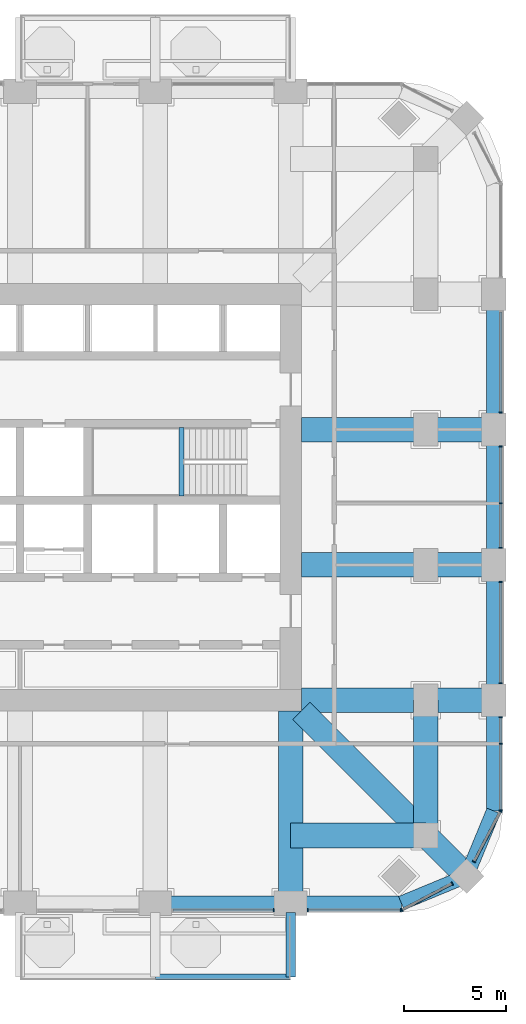
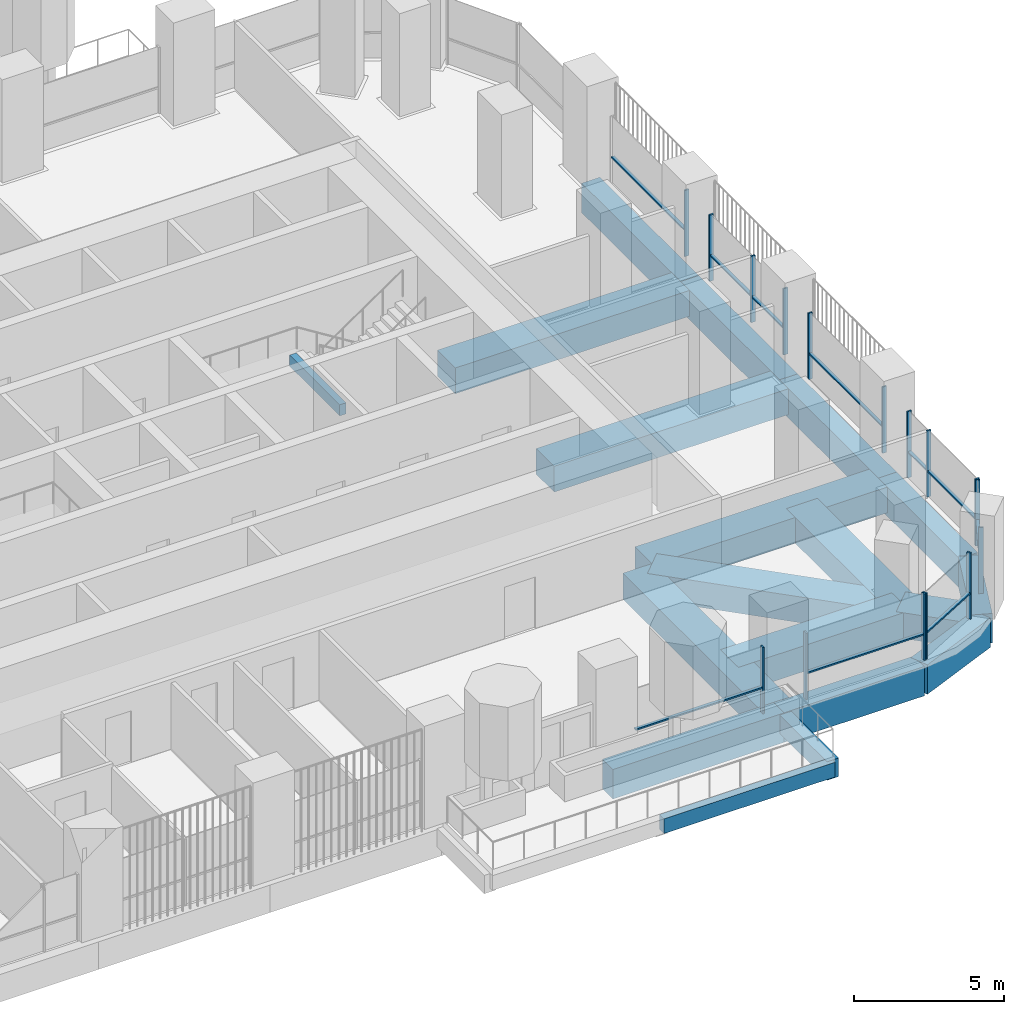
# One storey, part 5 of 19: 26 members, 19 beams, 8 elements without a shape of their own.
"""IFC4 building model written with IfcOpenShell, lengths in metres."""

from ifc_helpers import new_model, si_unit, direction, frame, origin, origin_2d, place, context, subcontext, project, spatial, rectangle, extrude, material, material_profile, profile_set, type_object, element, aggregate, save


model = new_model("IFC4")

# Units and contexts
model_context = context("Model", 3, precision=1e-05, world=origin(), true_north=direction((0.0, 1.0)))
body_context = subcontext(model_context, "Body", "Model", "MODEL_VIEW")
ifc_project = project(units=[si_unit("LENGTHUNIT", "METRE"), si_unit("AREAUNIT", "SQUARE_METRE"), si_unit("VOLUMEUNIT", "CUBIC_METRE"), si_unit("PLANEANGLEUNIT", "RADIAN"), si_unit("MASSUNIT", "GRAM", prefix="KILO")], contexts=[model_context])

# Site, building, storey
site_placement = place(None, origin())
site = spatial("IfcSite", under=ifc_project, at=site_placement, CompositionType="ELEMENT")
building_placement = place(site_placement, origin())
building = spatial("IfcBuilding", under=site, at=building_placement, Name="Cobogo Forest Laboratory Tower", CompositionType="ELEMENT")
storey_placement = place(building_placement, frame((0.0, 0.0, 164.10009765625)))
storey = spatial("IfcBuildingStorey", under=building, at=storey_placement, Name="L37", CompositionType="ELEMENT", Elevation=164.10009765625)

# Beams
ifc_material_1 = material(Name="Concrete HA-40 (C40/50)", Category="concrete")
ifc_material_profile_1 = material_profile(ifc_material_1, rectangle(XDim=0.449951171875, YDim=0.75, at=origin_2d()), Name="RC 450x750")
ifc_profile_set_1 = profile_set([ifc_material_profile_1], Name="Concrete HA-40 (C40/50)")
beam_type_1 = type_object("IfcBeamType", Name="Balcony cantilever beam 450x750", PredefinedType="BEAM", material=ifc_profile_set_1)
beam_1_placement = place(storey_placement, frame((39.60009765625, 2.85009765625, -0.625), z_axis=(0.0, -1.0, 0.0), x_axis=(1.0, 0.0, 0.0)))
element("IfcBeam", 1, at=beam_1_placement, inside=storey, type_object=beam_type_1, Name="CB1 BAL-S1-C3 L37", PredefinedType="BEAM", context=body_context, shape_type="SweptSolid", body=[
    extrude(rectangle(XDim=0.449951171875, YDim=0.75, at=origin_2d()), origin(), (0.0, 0.0, 1.0), 3.150146484375),
])
ifc_material_profile_2 = material_profile(ifc_material_1, rectangle(XDim=0.300048828125, YDim=0.60009765625, at=origin_2d()), Name="RC 300x600")
ifc_profile_set_2 = profile_set([ifc_material_profile_2], Name="Concrete HA-40 (C40/50)")
beam_type_2 = type_object("IfcBeamType", Name="Balcony edge beam 300x600", PredefinedType="BEAM", material=ifc_profile_set_2)
beam_2_placement = place(storey_placement, frame((33.0, -0.300048828125, -0.550048828125), z_axis=(1.0, 0.0, 0.0), x_axis=(0.0, 1.0, 0.0)))
element("IfcBeam", 2, at=beam_2_placement, inside=storey, type_object=beam_type_2, Name="BB1 BAL-S1-T2 L37", PredefinedType="BEAM", context=body_context, shape_type="SweptSolid", body=[
    extrude(rectangle(XDim=0.300048828125, YDim=0.60009765625, at=origin_2d()), origin(), (0.0, 0.0, 1.0), 6.60009765625),
])
ifc_material_profile_3 = material_profile(ifc_material_1, rectangle(XDim=0.25, YDim=0.449951171875, at=origin_2d()), Name="RC 250x450")
ifc_profile_set_3 = profile_set([ifc_material_profile_3], Name="Concrete HA-40 (C40/50)")
beam_type_3 = type_object("IfcBeamType", Name="LB1 landing beam 250x450", PredefinedType="BEAM", material=ifc_profile_set_3)
beam_3_placement = place(storey_placement, frame((34.27001953125, 23.14990234375, 1.6748046875), z_axis=(0.0, 1.0, 0.0), x_axis=(-1.0, 0.0, 0.0)))
element("IfcBeam", 3, at=beam_3_placement, inside=storey, type_object=beam_type_3, Name="Landing beam ST2 L37", PredefinedType="BEAM", context=body_context, shape_type="SweptSolid", body=[
    extrude(rectangle(XDim=0.25, YDim=0.449951171875, at=origin_2d()), origin(), (0.0, 0.0, 1.0), 3.35009765625),
])
ifc_material_profile_4 = material_profile(ifc_material_1, rectangle(XDim=1.199951171875, YDim=1.050048828125, at=origin_2d()), Name="RC 1200x1050")
ifc_profile_set_4 = profile_set([ifc_material_profile_4], Name="Concrete HA-40 (C40/50)")
beam_type_4 = type_object("IfcBeamType", Name="Laboratory floor wide beam 1200x1050", PredefinedType="BEAM", material=ifc_profile_set_4)
for number, where, z_axis, x_axis, name in (
    (4, (39.60009765625, 12.675048828125, -0.8251953125), (0.0, -1.0, 0.0), (1.0, 0.0, 0.0), "RB1 R-7-S L37"),
    (5, (40.125, 13.199951171875, -0.8251953125), (1.0, 0.0, 0.0), (0.0, 1.0, 0.0), "RB1 R-C-E L37"),
    (6, (40.125, 19.800048828125, -0.8251953125), (1.0, 0.0, 0.0), (0.0, 1.0, 0.0), "RB1 R-D-E L37"),
    (7, (40.125, 26.39990234375, -0.8251953125), (1.0, 0.0, 0.0), (0.0, 1.0, 0.0), "RB1 R-E-E L37"),
):
    element("IfcBeam", number, at=place(storey_placement, frame(where, z_axis=z_axis, x_axis=x_axis)), inside=storey, type_object=beam_type_4, Name=name, PredefinedType="BEAM", context=body_context, shape_type="SweptSolid", body=[
        extrude(rectangle(XDim=1.199951171875, YDim=1.050048828125, at=origin_2d()), origin(), (0.0, 0.0, 1.0), 9.375),
    ])
for number, where, z_axis, x_axis, name in (
    (8, (46.199951171875, 6.60009765625, -0.8251953125), (0.0, 1.0, 0.0), (-1.0, 0.0, 0.0), "RB1 G-SE-XC L37"),
    (9, (46.199951171875, 6.60009765625, -0.8251953125), (-1.0, 0.0, 0.0), (0.0, -1.0, 0.0), "RB1 G-SE-YC L37"),
):
    element("IfcBeam", number, at=place(storey_placement, frame(where, z_axis=z_axis, x_axis=x_axis)), inside=storey, type_object=beam_type_4, Name=name, PredefinedType="BEAM", context=body_context, shape_type="SweptSolid", body=[
        extrude(rectangle(XDim=1.199951171875, YDim=1.050048828125, at=origin_2d()), origin(), (0.0, 0.0, 1.0), 6.599853515625),
    ])
beam_4_placement = place(storey_placement, frame((48.181884765625, 4.617919921875, -0.8251953125), z_axis=(-0.707063230743, 0.707150328948, 0.0), x_axis=(-0.707150328948, -0.707063230743, 0.0)))
element("IfcBeam", 10, at=beam_4_placement, inside=storey, type_object=beam_type_4, Name="RB1 G-SE-D1 L37", PredefinedType="BEAM", context=body_context, shape_type="SweptSolid", body=[
    extrude(rectangle(XDim=1.199951171875, YDim=1.050048828125, at=origin_2d()), origin(), (0.0, 0.0, 1.0), 2.802978515625),
])
beam_5_placement = place(storey_placement, frame((46.199951171875, 6.60009765625, -0.8251953125), z_axis=(-0.707106781187, 0.707106781187, 0.0), x_axis=(-0.707106781187, -0.707106781187, 0.0)))
element("IfcBeam", 11, at=beam_5_placement, inside=storey, type_object=beam_type_4, Name="RB1 G-SE-D2 L37", PredefinedType="BEAM", context=body_context, shape_type="SweptSolid", body=[
    extrude(rectangle(XDim=1.199951171875, YDim=1.050048828125, at=origin_2d()), origin(), (0.0, 0.0, 1.0), 8.59130859375),
])

# Curtain wall, member
ifc_material_2 = material(Name="Aluminium curtain wall", Category="aluminium")
curtain_wall_type = type_object("IfcCurtainWallType", Name="CW-2 unitised curtain wall, solar control glazing, laboratory floors zones C and D", PredefinedType="USERDEFINED", material=ifc_material_2)
curtain_wall_1_placement = place(storey_placement, origin())
curtain_wall_1 = element("IfcCurtainWall", 12, at=curtain_wall_1_placement, inside=storey, type_object=curtain_wall_type, Name="Curtain wall 05 L37", ObjectType="UNITISED CURTAIN WALL", PredefinedType="USERDEFINED")
ifc_material_3 = material(Name="Aluminium mullion", Category="aluminium")
ifc_material_profile_5 = material_profile(ifc_material_3, rectangle(XDim=0.06005859375, YDim=0.159912109375, at=origin_2d()), Name="AL 60x160")
ifc_profile_set_5 = profile_set([ifc_material_profile_5], Name="Aluminium mullion")
member_type_1 = type_object("IfcMemberType", Name="MU-1 aluminium mullion 60x160", PredefinedType="MULLION", material=ifc_profile_set_5)
member_1_placement = place(storey_placement, frame((38.77001953125, 2.949951171875, 0.0), z_axis=(0.0, 0.0, 1.0), x_axis=(1.0, 0.0, 0.0)))
member_1 = element("IfcMember", 13, at=member_1_placement, type_object=member_type_1, Name="CW-2 mullion 2", PredefinedType="MULLION", context=body_context, shape_type="SweptSolid", body=[
    extrude(rectangle(XDim=0.06005859375, YDim=0.159912109375, at=origin_2d()), origin(), (0.0, 0.0, 1.0), 2.699951171875),
])

# Curtain wall, members
curtain_wall_2_placement = place(storey_placement, origin())
curtain_wall_2 = element("IfcCurtainWall", 14, at=curtain_wall_2_placement, inside=storey, type_object=curtain_wall_type, Name="Curtain wall 06 L37", ObjectType="UNITISED CURTAIN WALL", PredefinedType="USERDEFINED")
member_2_placement = place(storey_placement, frame((40.429931640625, 2.949951171875, 0.0), z_axis=(0.0, 0.0, 1.0), x_axis=(1.0, 0.0, 0.0)))
member_2 = element("IfcMember", 15, at=member_2_placement, type_object=member_type_1, Name="CW-2 mullion 1", PredefinedType="MULLION", context=body_context, shape_type="SweptSolid", body=[
    extrude(rectangle(XDim=0.06005859375, YDim=0.159912109375, at=origin_2d()), origin(), (0.0, 0.0, 1.0), 2.699951171875),
])
member_3_placement = place(storey_placement, frame((44.969970703125, 2.949951171875, 0.0), z_axis=(0.0, 0.0, 1.0), x_axis=(1.0, 0.0, 0.0)))
member_3 = element("IfcMember", 16, at=member_3_placement, type_object=member_type_1, Name="CW-2 mullion 2", PredefinedType="MULLION", context=body_context, shape_type="SweptSolid", body=[
    extrude(rectangle(XDim=0.06005859375, YDim=0.159912109375, at=origin_2d()), origin(), (0.0, 0.0, 1.0), 2.699951171875),
])

curtain_wall_3_placement = place(storey_placement, origin())
curtain_wall_3 = element("IfcCurtainWall", 17, at=curtain_wall_3_placement, inside=storey, type_object=curtain_wall_type, Name="Curtain wall 07 L37", ObjectType="UNITISED CURTAIN WALL", PredefinedType="USERDEFINED")
member_4_placement = place(storey_placement, frame((45.026611328125, 2.9638671875, 0.0), z_axis=(0.0, 0.0, 1.0), x_axis=(0.885686477022, 0.464283818822, 0.0)))
member_4 = element("IfcMember", 18, at=member_4_placement, type_object=member_type_1, Name="CW-2 mullion 1", PredefinedType="MULLION", context=body_context, shape_type="SweptSolid", body=[
    extrude(rectangle(XDim=0.06005859375, YDim=0.159912109375, at=origin_2d()), origin(), (0.0, 0.0, 1.0), 2.699951171875),
])
member_5_placement = place(storey_placement, frame((47.47802734375, 4.2490234375, 0.0), z_axis=(0.0, 0.0, 1.0), x_axis=(0.885686477022, 0.464283818822, 0.0)))
member_5 = element("IfcMember", 19, at=member_5_placement, type_object=member_type_1, Name="CW-2 mullion 2", PredefinedType="MULLION", context=body_context, shape_type="SweptSolid", body=[
    extrude(rectangle(XDim=0.06005859375, YDim=0.159912109375, at=origin_2d()), origin(), (0.0, 0.0, 1.0), 2.699951171875),
])

curtain_wall_4_placement = place(storey_placement, origin())
curtain_wall_4 = element("IfcCurtainWall", 20, at=curtain_wall_4_placement, inside=storey, type_object=curtain_wall_type, Name="Curtain wall 08 L37", ObjectType="UNITISED CURTAIN WALL", PredefinedType="USERDEFINED")
member_6_placement = place(storey_placement, frame((48.551025390625, 5.322021484375, 0.0), z_axis=(0.0, 0.0, 1.0), x_axis=(0.464283818822, 0.885686477022, 0.0)))
member_6 = element("IfcMember", 21, at=member_6_placement, type_object=member_type_1, Name="CW-2 mullion 1", PredefinedType="MULLION", context=body_context, shape_type="SweptSolid", body=[
    extrude(rectangle(XDim=0.06005859375, YDim=0.159912109375, at=origin_2d()), origin(), (0.0, 0.0, 1.0), 2.699951171875),
])
member_7_placement = place(storey_placement, frame((49.836181640625, 7.7734375, 0.0), z_axis=(0.0, 0.0, 1.0), x_axis=(0.464283818822, 0.885686477022, 0.0)))
member_7 = element("IfcMember", 22, at=member_7_placement, type_object=member_type_1, Name="CW-2 mullion 2", PredefinedType="MULLION", context=body_context, shape_type="SweptSolid", body=[
    extrude(rectangle(XDim=0.06005859375, YDim=0.159912109375, at=origin_2d()), origin(), (0.0, 0.0, 1.0), 2.699951171875),
])

curtain_wall_5_placement = place(storey_placement, origin())
curtain_wall_5 = element("IfcCurtainWall", 23, at=curtain_wall_5_placement, inside=storey, type_object=curtain_wall_type, Name="Curtain wall 09 L37", ObjectType="UNITISED CURTAIN WALL", PredefinedType="USERDEFINED")
member_8_placement = place(storey_placement, frame((49.85009765625, 7.830078125, 0.0), z_axis=(0.0, 0.0, 1.0), x_axis=(0.0, 1.0, 0.0)))
member_8 = element("IfcMember", 24, at=member_8_placement, type_object=member_type_1, Name="CW-2 mullion 1", PredefinedType="MULLION", context=body_context, shape_type="SweptSolid", body=[
    extrude(rectangle(XDim=0.06005859375, YDim=0.159912109375, at=origin_2d()), origin(), (0.0, 0.0, 1.0), 2.699951171875),
])
member_9_placement = place(storey_placement, frame((49.85009765625, 11.074951171875, 0.0), z_axis=(0.0, 0.0, 1.0), x_axis=(0.0, 1.0, 0.0)))
member_9 = element("IfcMember", 25, at=member_9_placement, type_object=member_type_1, Name="CW-2 mullion 2", PredefinedType="MULLION", context=body_context, shape_type="SweptSolid", body=[
    extrude(rectangle(XDim=0.06005859375, YDim=0.159912109375, at=origin_2d()), origin(), (0.0, 0.0, 1.0), 2.699951171875),
])
member_10_placement = place(storey_placement, frame((49.85009765625, 12.3701171875, 0.0), z_axis=(0.0, 0.0, 1.0), x_axis=(0.0, 1.0, 0.0)))
member_10 = element("IfcMember", 26, at=member_10_placement, type_object=member_type_1, Name="CW-2 mullion 3", PredefinedType="MULLION", context=body_context, shape_type="SweptSolid", body=[
    extrude(rectangle(XDim=0.06005859375, YDim=0.159912109375, at=origin_2d()), origin(), (0.0, 0.0, 1.0), 2.699951171875),
])

curtain_wall_6_placement = place(storey_placement, origin())
curtain_wall_6 = element("IfcCurtainWall", 27, at=curtain_wall_6_placement, inside=storey, type_object=curtain_wall_type, Name="Curtain wall 10 L37", ObjectType="UNITISED CURTAIN WALL", PredefinedType="USERDEFINED")
member_11_placement = place(storey_placement, frame((49.85009765625, 14.030029296875, 0.0), z_axis=(0.0, 0.0, 1.0), x_axis=(0.0, 1.0, 0.0)))
member_11 = element("IfcMember", 28, at=member_11_placement, type_object=member_type_1, Name="CW-2 mullion 1", PredefinedType="MULLION", context=body_context, shape_type="SweptSolid", body=[
    extrude(rectangle(XDim=0.06005859375, YDim=0.159912109375, at=origin_2d()), origin(), (0.0, 0.0, 1.0), 2.699951171875),
])
member_12_placement = place(storey_placement, frame((49.85009765625, 18.969970703125, 0.0), z_axis=(0.0, 0.0, 1.0), x_axis=(0.0, 1.0, 0.0)))
member_12 = element("IfcMember", 29, at=member_12_placement, type_object=member_type_1, Name="CW-2 mullion 2", PredefinedType="MULLION", context=body_context, shape_type="SweptSolid", body=[
    extrude(rectangle(XDim=0.06005859375, YDim=0.159912109375, at=origin_2d()), origin(), (0.0, 0.0, 1.0), 2.699951171875),
])

curtain_wall_7_placement = place(storey_placement, origin())
curtain_wall_7 = element("IfcCurtainWall", 30, at=curtain_wall_7_placement, inside=storey, type_object=curtain_wall_type, Name="Curtain wall 11 L37", ObjectType="UNITISED CURTAIN WALL", PredefinedType="USERDEFINED")
member_13_placement = place(storey_placement, frame((49.85009765625, 20.6298828125, 0.0), z_axis=(0.0, 0.0, 1.0), x_axis=(0.0, 1.0, 0.0)))
member_13 = element("IfcMember", 31, at=member_13_placement, type_object=member_type_1, Name="CW-2 mullion 1", PredefinedType="MULLION", context=body_context, shape_type="SweptSolid", body=[
    extrude(rectangle(XDim=0.06005859375, YDim=0.159912109375, at=origin_2d()), origin(), (0.0, 0.0, 1.0), 2.699951171875),
])
member_14_placement = place(storey_placement, frame((49.85009765625, 22.800048828125, 0.0), z_axis=(0.0, 0.0, 1.0), x_axis=(0.0, 1.0, 0.0)))
member_14 = element("IfcMember", 32, at=member_14_placement, type_object=member_type_1, Name="CW-2 mullion 2", PredefinedType="MULLION", context=body_context, shape_type="SweptSolid", body=[
    extrude(rectangle(XDim=0.06005859375, YDim=0.159912109375, at=origin_2d()), origin(), (0.0, 0.0, 1.0), 2.699951171875),
])
member_15_placement = place(storey_placement, frame((49.85009765625, 25.570068359375, 0.0), z_axis=(0.0, 0.0, 1.0), x_axis=(0.0, 1.0, 0.0)))
member_15 = element("IfcMember", 33, at=member_15_placement, type_object=member_type_1, Name="CW-2 mullion 3", PredefinedType="MULLION", context=body_context, shape_type="SweptSolid", body=[
    extrude(rectangle(XDim=0.06005859375, YDim=0.159912109375, at=origin_2d()), origin(), (0.0, 0.0, 1.0), 2.699951171875),
])

# Curtain wall, member
curtain_wall_8_placement = place(storey_placement, origin())
curtain_wall_8 = element("IfcCurtainWall", 34, at=curtain_wall_8_placement, inside=storey, type_object=curtain_wall_type, Name="Curtain wall 12 L37", ObjectType="UNITISED CURTAIN WALL", PredefinedType="USERDEFINED")
member_16_placement = place(storey_placement, frame((49.85009765625, 27.22998046875, 0.0), z_axis=(0.0, 0.0, 1.0), x_axis=(0.0, 1.0, 0.0)))
member_16 = element("IfcMember", 35, at=member_16_placement, type_object=member_type_1, Name="CW-2 mullion 1", PredefinedType="MULLION", context=body_context, shape_type="SweptSolid", body=[
    extrude(rectangle(XDim=0.06005859375, YDim=0.159912109375, at=origin_2d()), origin(), (0.0, 0.0, 1.0), 2.699951171875),
])

# Beams
ifc_material_profile_6 = material_profile(ifc_material_1, rectangle(XDim=0.699951171875, YDim=1.199951171875, at=origin_2d()), Name="RC 700x1200")
ifc_profile_set_6 = profile_set([ifc_material_profile_6], Name="Concrete HA-40 (C40/50)")
beam_type_5 = type_object("IfcBeamType", Name="Perimeter edge beam 700x1200", PredefinedType="BEAM", material=ifc_profile_set_6)
for number, where, z_axis, x_axis, name in (
    (36, (33.0, 3.300048828125, -0.900146484375), (1.0, 0.0, 0.0), (0.0, 1.0, 0.0), "EB1 E-S4 L37"),
    (37, (49.5, 13.199951171875, -0.900146484375), (0.0, 1.0, 0.0), (-1.0, 0.0, 0.0), "EB1 E-E1 L37"),
):
    element("IfcBeam", number, at=place(storey_placement, frame(where, z_axis=z_axis, x_axis=x_axis)), inside=storey, type_object=beam_type_5, Name=name, PredefinedType="BEAM", context=body_context, shape_type="SweptSolid", body=[
        extrude(rectangle(XDim=0.699951171875, YDim=1.199951171875, at=origin_2d()), origin(), (0.0, 0.0, 1.0), 6.60009765625),
    ])
beam_6_placement = place(storey_placement, frame((49.5, 19.800048828125, -0.900146484375), z_axis=(0.0, 1.0, 0.0), x_axis=(-1.0, 0.0, 0.0)))
element("IfcBeam", 38, at=beam_6_placement, inside=storey, type_object=beam_type_5, Name="EB1 E-E2 L37", PredefinedType="BEAM", context=body_context, shape_type="SweptSolid", body=[
    extrude(rectangle(XDim=0.699951171875, YDim=1.199951171875, at=origin_2d()), origin(), (0.0, 0.0, 1.0), 6.599853515625),
])
beam_7_placement = place(storey_placement, frame((49.5, 26.39990234375, -0.900146484375), z_axis=(0.0, 1.0, 0.0), x_axis=(-1.0, 0.0, 0.0)))
element("IfcBeam", 39, at=beam_7_placement, inside=storey, type_object=beam_type_5, Name="EB1 E-E3 L37", PredefinedType="BEAM", context=body_context, shape_type="SweptSolid", body=[
    extrude(rectangle(XDim=0.699951171875, YDim=1.199951171875, at=origin_2d()), origin(), (0.0, 0.0, 1.0), 6.60009765625),
])
beam_8_placement = place(storey_placement, frame((39.60009765625, 3.300048828125, -0.900146484375), z_axis=(1.0, 0.0, 0.0), x_axis=(0.0, 1.0, 0.0)))
element("IfcBeam", 40, at=beam_8_placement, inside=storey, type_object=beam_type_5, Name="EB1 E-SES1 L37", PredefinedType="BEAM", context=body_context, shape_type="SweptSolid", body=[
    extrude(rectangle(XDim=0.699951171875, YDim=1.199951171875, at=origin_2d()), origin(), (0.0, 0.0, 1.0), 5.39990234375),
])
beam_9_placement = place(storey_placement, frame((45.0, 3.300048828125, -0.900146484375), z_axis=(0.923890694089, 0.382656484822, 0.0), x_axis=(-0.382656484822, 0.923890694089, 0.0)))
element("IfcBeam", 41, at=beam_9_placement, inside=storey, type_object=beam_type_5, Name="EB1 E-SES2 L37", PredefinedType="BEAM", context=body_context, shape_type="SweptSolid", body=[
    extrude(rectangle(XDim=0.699951171875, YDim=1.199951171875, at=origin_2d()), origin(), (0.0, 0.0, 1.0), 3.444091796875),
])
beam_10_placement = place(storey_placement, frame((49.5, 13.199951171875, -0.900146484375), z_axis=(0.0, -1.0, 0.0), x_axis=(1.0, 0.0, 0.0)))
element("IfcBeam", 42, at=beam_10_placement, inside=storey, type_object=beam_type_5, Name="EB1 E-SEE1 L37", PredefinedType="BEAM", context=body_context, shape_type="SweptSolid", body=[
    extrude(rectangle(XDim=0.699951171875, YDim=1.199951171875, at=origin_2d()), origin(), (0.0, 0.0, 1.0), 5.39990234375),
])
beam_11_placement = place(storey_placement, frame((49.5, 7.800048828125, -0.900146484375), z_axis=(-0.382691928466, -0.923876013265, 0.0), x_axis=(0.923876013265, -0.382691928466, 0.0)))
element("IfcBeam", 43, at=beam_11_placement, inside=storey, type_object=beam_type_5, Name="EB1 E-SEE2 L37", PredefinedType="BEAM", context=body_context, shape_type="SweptSolid", body=[
    extrude(rectangle(XDim=0.699951171875, YDim=1.199951171875, at=origin_2d()), origin(), (0.0, 0.0, 1.0), 3.4443359375),
])

# Member
ifc_material_4 = material(Name="Aluminium transom", Category="aluminium")
ifc_material_profile_7 = material_profile(ifc_material_4, rectangle(XDim=0.1201171875, YDim=0.06005859375, at=origin_2d()), Name="AL 60x120")
ifc_profile_set_7 = profile_set([ifc_material_profile_7], Name="Aluminium transom")
member_type_2 = type_object("IfcMemberType", Name="TR-1 aluminium transom 60x120", PredefinedType="USERDEFINED", material=ifc_profile_set_7)
member_17_placement = place(storey_placement, frame((33.860107421875, 2.949951171875, 1.0498046875), z_axis=(1.0, 0.0, 0.0), x_axis=(0.0, 1.0, 0.0)))
member_17 = element("IfcMember", 44, at=member_17_placement, type_object=member_type_2, Name="CW-2 transom 1.1", ObjectType="TRANSOM", PredefinedType="USERDEFINED", context=body_context, shape_type="SweptSolid", body=[
    extrude(rectangle(XDim=0.1201171875, YDim=0.06005859375, at=origin_2d()), origin(), (0.0, 0.0, 1.0), 4.8798828125),
])

aggregate(curtain_wall_1, [member_1, member_17])

member_18_placement = place(storey_placement, frame((40.4599609375, 2.949951171875, 1.0498046875), z_axis=(1.0, 0.0, 0.0), x_axis=(0.0, 1.0, 0.0)))
member_18 = element("IfcMember", 45, at=member_18_placement, type_object=member_type_2, Name="CW-2 transom 1.1", ObjectType="TRANSOM", PredefinedType="USERDEFINED", context=body_context, shape_type="SweptSolid", body=[
    extrude(rectangle(XDim=0.1201171875, YDim=0.06005859375, at=origin_2d()), origin(), (0.0, 0.0, 1.0), 4.47998046875),
])

aggregate(curtain_wall_2, [member_2, member_3, member_18])

member_19_placement = place(storey_placement, frame((45.05322265625, 2.977783203125, 1.0498046875), z_axis=(0.885660295744, 0.464333759857, 0.0), x_axis=(-0.464333759857, 0.885660295744, 0.0)))
member_19 = element("IfcMember", 46, at=member_19_placement, type_object=member_type_2, Name="CW-2 transom 1.1", ObjectType="TRANSOM", PredefinedType="USERDEFINED", context=body_context, shape_type="SweptSolid", body=[
    extrude(rectangle(XDim=0.1201171875, YDim=0.06005859375, at=origin_2d()), origin(), (0.0, 0.0, 1.0), 2.707763671875),
])

aggregate(curtain_wall_3, [member_4, member_5, member_19])

member_20_placement = place(storey_placement, frame((48.56494140625, 5.348388671875, 1.0498046875), z_axis=(0.464225959694, 0.885716804823, 0.0), x_axis=(-0.885716804823, 0.464225959694, 0.0)))
member_20 = element("IfcMember", 47, at=member_20_placement, type_object=member_type_2, Name="CW-2 transom 1.1", ObjectType="TRANSOM", PredefinedType="USERDEFINED", context=body_context, shape_type="SweptSolid", body=[
    extrude(rectangle(XDim=0.1201171875, YDim=0.06005859375, at=origin_2d()), origin(), (0.0, 0.0, 1.0), 2.7080078125),
])

aggregate(curtain_wall_4, [member_6, member_7, member_20])

member_21_placement = place(storey_placement, frame((49.85009765625, 7.860107421875, 1.0498046875), z_axis=(0.0, 1.0, 0.0), x_axis=(-1.0, 0.0, 0.0)))
member_21 = element("IfcMember", 48, at=member_21_placement, type_object=member_type_2, Name="CW-2 transom 1.1", ObjectType="TRANSOM", PredefinedType="USERDEFINED", context=body_context, shape_type="SweptSolid", body=[
    extrude(rectangle(XDim=0.1201171875, YDim=0.06005859375, at=origin_2d()), origin(), (0.0, 0.0, 1.0), 3.184814453125),
])

member_22_placement = place(storey_placement, frame((49.85009765625, 11.10498046875, 1.0498046875), z_axis=(0.0, 1.0, 0.0), x_axis=(-1.0, 0.0, 0.0)))
member_22 = element("IfcMember", 49, at=member_22_placement, type_object=member_type_2, Name="CW-2 transom 2.1", ObjectType="TRANSOM", PredefinedType="USERDEFINED", context=body_context, shape_type="SweptSolid", body=[
    extrude(rectangle(XDim=0.1201171875, YDim=0.06005859375, at=origin_2d()), origin(), (0.0, 0.0, 1.0), 1.235107421875),
])

aggregate(curtain_wall_5, [member_8, member_9, member_10, member_21, member_22])

member_23_placement = place(storey_placement, frame((49.85009765625, 14.06005859375, 1.0498046875), z_axis=(0.0, 1.0, 0.0), x_axis=(-1.0, 0.0, 0.0)))
member_23 = element("IfcMember", 50, at=member_23_placement, type_object=member_type_2, Name="CW-2 transom 1.1", ObjectType="TRANSOM", PredefinedType="USERDEFINED", context=body_context, shape_type="SweptSolid", body=[
    extrude(rectangle(XDim=0.1201171875, YDim=0.06005859375, at=origin_2d()), origin(), (0.0, 0.0, 1.0), 4.8798828125),
])

aggregate(curtain_wall_6, [member_11, member_12, member_23])

member_24_placement = place(storey_placement, frame((49.85009765625, 20.659912109375, 1.0498046875), z_axis=(0.0, 1.0, 0.0), x_axis=(-1.0, 0.0, 0.0)))
member_24 = element("IfcMember", 51, at=member_24_placement, type_object=member_type_2, Name="CW-2 transom 1.1", ObjectType="TRANSOM", PredefinedType="USERDEFINED", context=body_context, shape_type="SweptSolid", body=[
    extrude(rectangle(XDim=0.1201171875, YDim=0.06005859375, at=origin_2d()), origin(), (0.0, 0.0, 1.0), 2.110107421875),
])

member_25_placement = place(storey_placement, frame((49.85009765625, 22.830078125, 1.0498046875), z_axis=(0.0, 1.0, 0.0), x_axis=(-1.0, 0.0, 0.0)))
member_25 = element("IfcMember", 52, at=member_25_placement, type_object=member_type_2, Name="CW-2 transom 2.1", ObjectType="TRANSOM", PredefinedType="USERDEFINED", context=body_context, shape_type="SweptSolid", body=[
    extrude(rectangle(XDim=0.1201171875, YDim=0.06005859375, at=origin_2d()), origin(), (0.0, 0.0, 1.0), 2.7099609375),
])

aggregate(curtain_wall_7, [member_13, member_14, member_15, member_24, member_25])

member_26_placement = place(storey_placement, frame((49.85009765625, 27.260009765625, 1.0498046875), z_axis=(0.0, 1.0, 0.0), x_axis=(-1.0, 0.0, 0.0)))
member_26 = element("IfcMember", 53, at=member_26_placement, type_object=member_type_2, Name="CW-2 transom 1.1", ObjectType="TRANSOM", PredefinedType="USERDEFINED", context=body_context, shape_type="SweptSolid", body=[
    extrude(rectangle(XDim=0.1201171875, YDim=0.06005859375, at=origin_2d()), origin(), (0.0, 0.0, 1.0), 4.8798828125),
])

aggregate(curtain_wall_8, [member_16, member_26])

save(model, "model.ifc")
